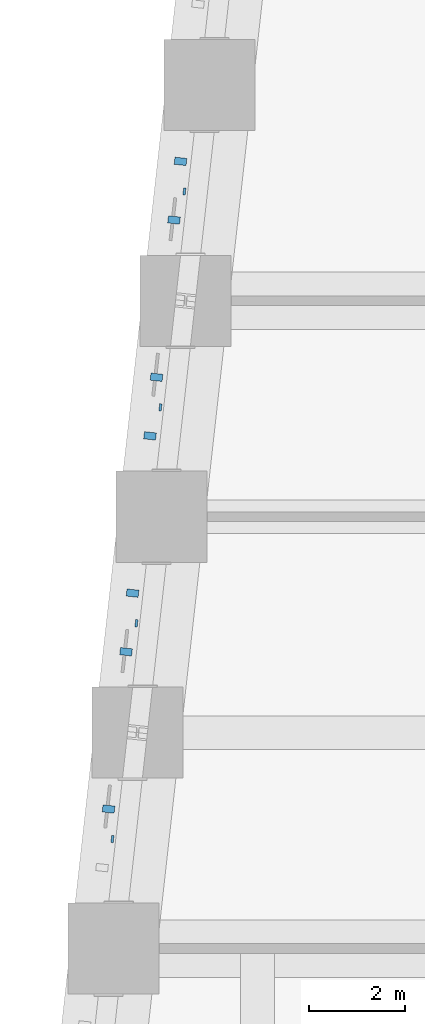
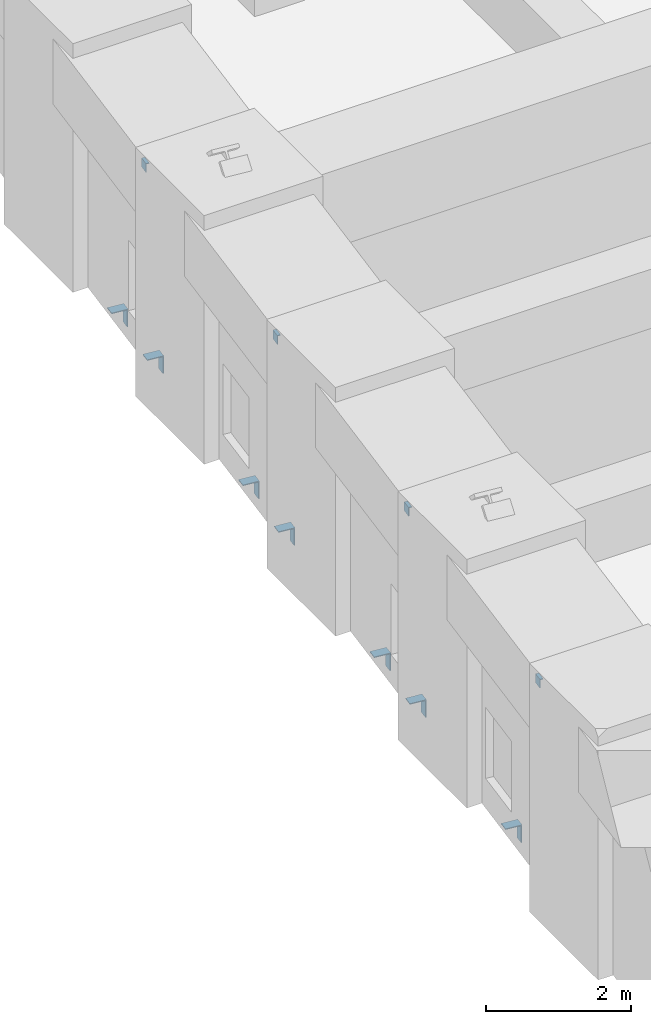
# One storey, part 11 of 16: 11 discrete accessories.
"""IFC4 building model written with IfcOpenShell, lengths in metres."""

from ifc_helpers import new_model, si_unit, direction, frame, origin, place, context, subcontext, project, spatial, polyline, outline, extrude, source, transform, mapped, material, layer, layer_set, type_object, element, save


model = new_model("IFC4")

# Units and contexts
model_context = context("Model", 3, precision=1e-05, world=origin(), true_north=direction((0.0, 1.0)))
body_context = subcontext(model_context, "Body", "Model", "MODEL_VIEW")
ifc_project = project(units=[si_unit("LENGTHUNIT", "METRE"), si_unit("AREAUNIT", "SQUARE_METRE"), si_unit("VOLUMEUNIT", "CUBIC_METRE"), si_unit("PLANEANGLEUNIT", "RADIAN"), si_unit("MASSUNIT", "GRAM", prefix="KILO")], contexts=[model_context])

# Site, building, storey
site_placement = place(None, origin())
site = spatial("IfcSite", under=ifc_project, at=site_placement, CompositionType="ELEMENT")
building_placement = place(site_placement, origin())
building = spatial("IfcBuilding", under=site, at=building_placement, Name="Kilele Tower Hotel", CompositionType="ELEMENT")
storey_placement = place(building_placement, frame((0.0, 0.0, 85.699951171875)))
storey = spatial("IfcBuildingStorey", under=building, at=storey_placement, Name="L21", CompositionType="ELEMENT", Elevation=85.699951171875)

# Discrete accessories
ifc_material_1 = material(Name="Hot-dip galvanized steel S355", Category="steel")
ifc_layer_1 = layer(ifc_material_1, 0.014892578125)
ifc_layer_set_1 = layer_set([ifc_layer_1], Name="Hot-dip galvanized steel S355")
discrete_accessory_type_1 = type_object("IfcDiscreteAccessoryType", Name="Facade panel bearing bracket 250x150x15", PredefinedType="BRACKET", material=ifc_layer_set_1)
shared_shape_1 = source(origin(), body_context, "Body", "SweptSolid", [
    extrude(outline(polyline([(0.0, 0.0), (0.25, 0.0), (0.25, -0.014892578125), (0.014892578125, -0.014892578125), (0.014892578125, -0.300048828125), (0.0, -0.300048828125), (0.0, 0.0)])), origin(), (0.0, 0.0, 1.0), 0.14990234375),
])
for number, where, z_axis, x_axis, name in (
    (1, (3.011474609375, 29.819580078125, 0.0), (0.110432, 0.993884, 0.0), (-0.993884, 0.110432, 0.0), "Facade panel bearing bracket L21"),
    (2, (2.875732421875, 28.59765625, 0.0), (0.110432, 0.993884, 0.0), (-0.993884, 0.110432, 0.0), "Facade panel bearing bracket L21"),
    (3, (2.511474609375, 25.319580078125, 0.0), (0.110432, 0.993884, 0.0), (-0.993884, 0.110432, 0.0), "Facade panel bearing bracket L21"),
    (4, (2.375732421875, 24.09765625, 0.0), (0.110432, 0.993884, 0.0), (-0.993884, 0.110432, 0.0), "Facade panel bearing bracket L21"),
    (5, (2.011474609375, 20.819580078125, 0.0), (0.110432, 0.993884, 0.0), (-0.993884, 0.110432, 0.0), "Facade panel bearing bracket L21"),
    (6, (1.875732421875, 19.59765625, 0.0), (0.110432, 0.993884, 0.0), (-0.993884, 0.110432, 0.0), "Facade panel bearing bracket L21"),
    (7, (1.511474609375, 16.319580078125, 0.0), (0.110432, 0.993884, 0.0), (-0.993884, 0.110432, 0.0), "Facade panel bearing bracket L21"),
):
    element("IfcDiscreteAccessory", number, at=place(storey_placement, frame(where, z_axis=z_axis, x_axis=x_axis)), inside=storey, type_object=discrete_accessory_type_1, Name=name, PredefinedType="BRACKET", context=body_context, shape_type="MappedRepresentation", body=[
        mapped(shared_shape_1, transform((0.0, 0.0, 0.0))),
    ])
ifc_material_2 = material(Name="Hot-dip galvanized steel S355", Category="steel")
ifc_layer_2 = layer(ifc_material_2, 0.011962890625)
ifc_layer_set_2 = layer_set([ifc_layer_2], Name="Hot-dip galvanized steel S355")
discrete_accessory_type_2 = type_object("IfcDiscreteAccessoryType", Name="Facade panel restraint bracket 150x50x12", PredefinedType="BRACKET", material=ifc_layer_set_2)
shared_shape_2 = source(origin(), body_context, "Body", "SweptSolid", [
    extrude(outline(polyline([(0.0, 0.0), (0.0, -0.14990234375), (-0.011962890625, -0.14990234375), (-0.011962890625, -0.011962890625), (-0.050048828125, -0.011962890625), (-0.050048828125, 0.0), (0.0, 0.0)])), origin(), (0.0, 0.0, 1.0), 0.14990234375),
])
for number, where, z_axis, x_axis, name in (
    (8, (2.943603515625, 29.20849609375, 2.85009765625), (0.110432, 0.993884, 0.0), (-0.993884, 0.110432, 0.0), "Facade panel restraint bracket L21"),
    (9, (2.443603515625, 24.70849609375, 2.85009765625), (0.110432, 0.993884, 0.0), (-0.993884, 0.110432, 0.0), "Facade panel restraint bracket L21"),
    (10, (1.943603515625, 20.20849609375, 2.85009765625), (0.110432, 0.993884, 0.0), (-0.993884, 0.110432, 0.0), "Facade panel restraint bracket L21"),
    (11, (1.443603515625, 15.70849609375, 2.85009765625), (0.110432, 0.993884, 0.0), (-0.993884, 0.110432, 0.0), "Facade panel restraint bracket L21"),
):
    element("IfcDiscreteAccessory", number, at=place(storey_placement, frame(where, z_axis=z_axis, x_axis=x_axis)), inside=storey, type_object=discrete_accessory_type_2, Name=name, PredefinedType="BRACKET", context=body_context, shape_type="MappedRepresentation", body=[
        mapped(shared_shape_2, transform((0.0, 0.0, 0.0))),
    ])

save(model, "model.ifc")
